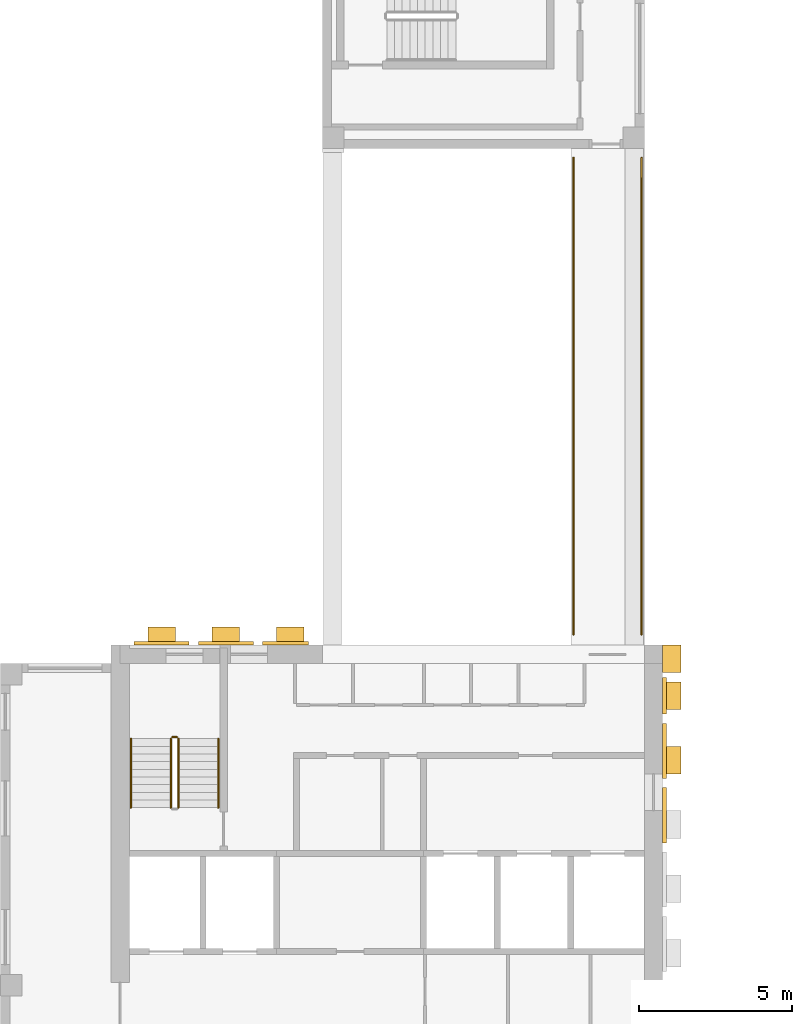
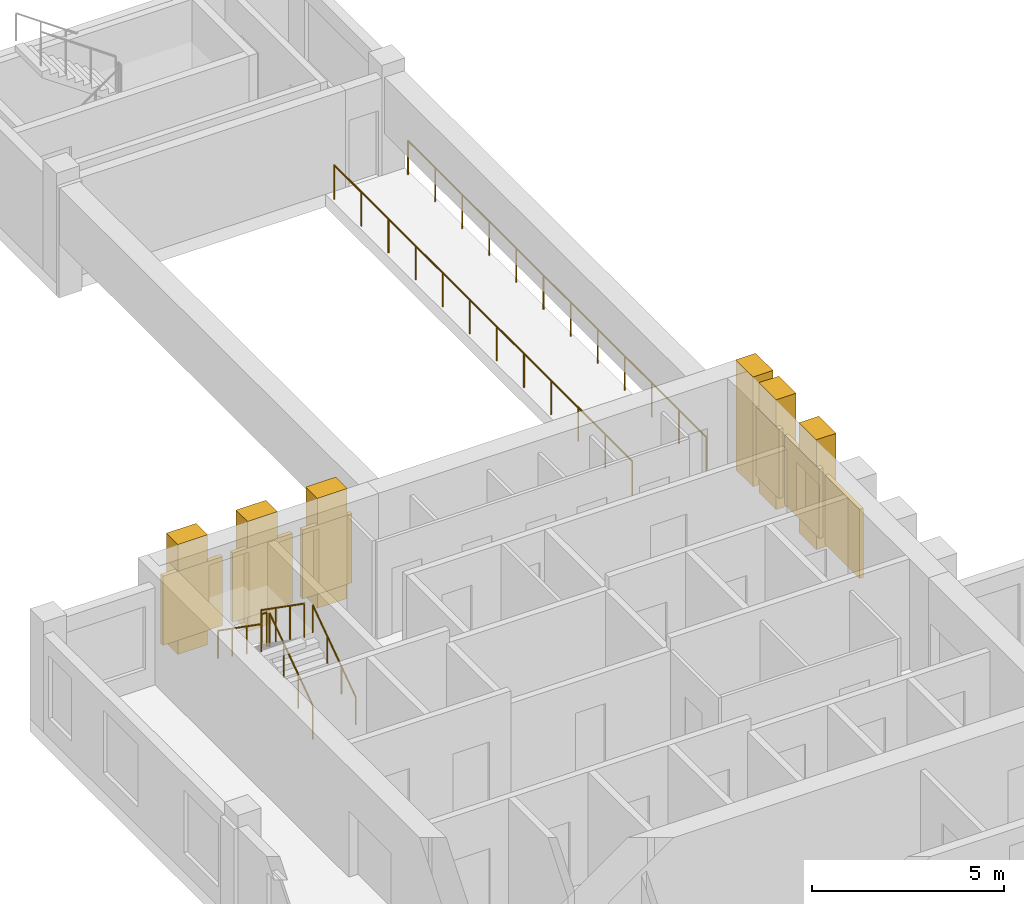
# One storey, part 7 of 9: 12 coverings, 7 railings.
"""IFC4 building model written with IfcOpenShell, lengths in metres."""

from ifc_helpers import new_model, si_unit, direction, frame, origin, origin_2d, place, context, subcontext, project, spatial, rectangle, circle, extrude, source, transform, mapped, material, type_object, element, save


model = new_model("IFC4")

# Units and contexts
model_context = context("Model", 3, precision=1e-05, world=origin(), true_north=direction((0.0, 1.0)))
body_context = subcontext(model_context, "Body", "Model", "MODEL_VIEW")
ifc_project = project(units=[si_unit("LENGTHUNIT", "METRE"), si_unit("AREAUNIT", "SQUARE_METRE"), si_unit("VOLUMEUNIT", "CUBIC_METRE"), si_unit("PLANEANGLEUNIT", "RADIAN"), si_unit("MASSUNIT", "GRAM", prefix="KILO")], contexts=[model_context])

# Site, building, storey
site_placement = place(None, origin())
site = spatial("IfcSite", under=ifc_project, at=site_placement, CompositionType="ELEMENT")
building_placement = place(site_placement, origin())
building = spatial("IfcBuilding", under=site, at=building_placement, Name="Aurelian Terraces", CompositionType="ELEMENT")
storey_placement = place(building_placement, frame((0.0, 0.0, 323.0)))
storey = spatial("IfcBuildingStorey", under=building, at=storey_placement, Name="L75", CompositionType="ELEMENT", Elevation=323.0)

# Coverings
ifc_material_1 = material(Name="Terracotta rainscreen cladding louvre blades", Category="masonry")
covering_type_1 = type_object("IfcCoveringType", Name="LOUVRE-TC", PredefinedType="CLADDING", material=ifc_material_1)
shared_shape_1 = source(origin(), body_context, "Body", "SweptSolid", [
    extrude(rectangle(XDim=0.12, YDim=1.8, at=origin_2d()), origin(), (0.0, 0.0, 1.0), 2.2),
])
for number, where, z_axis, x_axis, name in (
    (1, (21.66, 16.05, 0.45), (0.0, 0.0, 1.0), (1.0, 0.0, 0.0), "LOUVRE L75 core face E.3"),
    (2, (21.66, 18.15, 0.45), (0.0, 0.0, 1.0), (1.0, 0.0, 0.0), "LOUVRE L75 core face E.4"),
):
    element("IfcCovering", number, at=place(storey_placement, frame(where, z_axis=z_axis, x_axis=x_axis)), inside=storey, type_object=covering_type_1, Name=name, PredefinedType="CLADDING", context=body_context, shape_type="MappedRepresentation", body=[
        mapped(shared_shape_1, transform((0.0, 0.0, 0.0), scale=1.0)),
    ])
shared_shape_2 = source(origin(), body_context, "Body", "SweptSolid", [
    extrude(rectangle(XDim=1.8, YDim=0.12, at=origin_2d()), origin(), (0.0, 0.0, 1.0), 2.2),
])
for number, where, z_axis, x_axis, name in (
    (3, (5.25, 21.66, 0.45), (0.0, 0.0, 1.0), (1.0, 0.0, 0.0), "LOUVRE L75 core face N.1"),
    (4, (7.35, 21.66, 0.45), (0.0, 0.0, 1.0), (1.0, 0.0, 0.0), "LOUVRE L75 core face N.2"),
):
    element("IfcCovering", number, at=place(storey_placement, frame(where, z_axis=z_axis, x_axis=x_axis)), inside=storey, type_object=covering_type_1, Name=name, PredefinedType="CLADDING", context=body_context, shape_type="MappedRepresentation", body=[
        mapped(shared_shape_2, transform((0.0, 0.0, 0.0), scale=1.0)),
    ])
shared_shape_3 = source(origin(), body_context, "Body", "SweptSolid", [
    extrude(rectangle(XDim=0.12, YDim=1.2, at=origin_2d()), origin(), (0.0, 0.0, 1.0), 2.2),
])
covering_1_placement = place(storey_placement, frame((21.66, 19.95, 0.45), z_axis=(0.0, 0.0, 1.0), x_axis=(1.0, 0.0, 0.0)))
element("IfcCovering", 5, at=covering_1_placement, inside=storey, type_object=covering_type_1, Name="LOUVRE L75 core face E.5", PredefinedType="CLADDING", context=body_context, shape_type="MappedRepresentation", body=[
    mapped(shared_shape_3, transform((0.0, 0.0, 0.0), scale=1.0)),
])
shared_shape_4 = source(origin(), body_context, "Body", "SweptSolid", [
    extrude(rectangle(XDim=1.5, YDim=0.12, at=origin_2d()), origin(), (0.0, 0.0, 1.0), 2.2),
])
covering_2_placement = place(storey_placement, frame((9.3, 21.66, 0.45), z_axis=(0.0, 0.0, 1.0), x_axis=(1.0, 0.0, 0.0)))
element("IfcCovering", 6, at=covering_2_placement, inside=storey, type_object=covering_type_1, Name="LOUVRE L75 core face N.3", PredefinedType="CLADDING", context=body_context, shape_type="MappedRepresentation", body=[
    mapped(shared_shape_4, transform((0.0, 0.0, 0.0), scale=1.0)),
])

# Railings
ifc_material_2 = material(Name="Anodised aluminium", Category="aluminium")
railing_type_1 = type_object("IfcRailingType", Name="GUARD-1100", PredefinedType="GUARDRAIL", material=ifc_material_2)
shared_shape_5 = source(origin(), body_context, "Body", "SweptSolid", [
    extrude(circle(Radius=0.024, at=origin_2d()), frame((0.0, 0.0, 1.076), z_axis=(0.0, 1.0, 0.0), x_axis=(-1.0, 0.0, 0.0)), (0.0, 0.0, 1.0), 15.55),
    extrude(circle(Radius=0.021, at=origin_2d()), origin(), (0.0, 0.0, 1.0), 1.052),
    extrude(circle(Radius=0.021, at=origin_2d()), frame((0.0, 1.4136, 0.0)), (0.0, 0.0, 1.0), 1.052),
    extrude(circle(Radius=0.021, at=origin_2d()), frame((0.0, 2.8273, 0.0)), (0.0, 0.0, 1.0), 1.052),
    extrude(circle(Radius=0.021, at=origin_2d()), frame((0.0, 4.2409, 0.0)), (0.0, 0.0, 1.0), 1.052),
    extrude(circle(Radius=0.021, at=origin_2d()), frame((0.0, 5.6545, 0.0)), (0.0, 0.0, 1.0), 1.052),
    extrude(circle(Radius=0.021, at=origin_2d()), frame((0.0, 7.0682, 0.0)), (0.0, 0.0, 1.0), 1.052),
    extrude(circle(Radius=0.021, at=origin_2d()), frame((0.0, 8.4818, 0.0)), (0.0, 0.0, 1.0), 1.052),
    extrude(circle(Radius=0.021, at=origin_2d()), frame((0.0, 9.8955, 0.0)), (0.0, 0.0, 1.0), 1.052),
    extrude(circle(Radius=0.021, at=origin_2d()), frame((0.0, 11.3091, 0.0)), (0.0, 0.0, 1.0), 1.052),
    extrude(circle(Radius=0.021, at=origin_2d()), frame((0.0, 12.7227, 0.0)), (0.0, 0.0, 1.0), 1.052),
    extrude(circle(Radius=0.021, at=origin_2d()), frame((0.0, 14.1364, 0.0)), (0.0, 0.0, 1.0), 1.052),
    extrude(circle(Radius=0.021, at=origin_2d()), frame((0.0, 15.55, 0.0)), (0.0, 0.0, 1.0), 1.052),
])
railing_1_placement = place(storey_placement, frame((18.69, 21.95, 0.0)))
element("IfcRailing", 7, at=railing_1_placement, inside=storey, type_object=railing_type_1, Name="Terrace guard L75 BLADE-W-B75.1", PredefinedType="GUARDRAIL", context=body_context, shape_type="MappedRepresentation", body=[
    mapped(shared_shape_5, transform((0.0, 0.0, 0.0), scale=1.0)),
])
shared_shape_6 = source(origin(), body_context, "Body", "SweptSolid", [
    extrude(circle(Radius=0.024, at=origin_2d()), frame((0.0, 0.0, 1.076), z_axis=(0.0, -1.0, 0.0), x_axis=(1.0, 0.0, 0.0)), (0.0, 0.0, 1.0), 15.55),
    extrude(circle(Radius=0.021, at=origin_2d()), origin(), (0.0, 0.0, 1.0), 1.052),
    extrude(circle(Radius=0.021, at=origin_2d()), frame((0.0, -1.4136, 0.0)), (0.0, 0.0, 1.0), 1.052),
    extrude(circle(Radius=0.021, at=origin_2d()), frame((0.0, -2.8273, 0.0)), (0.0, 0.0, 1.0), 1.052),
    extrude(circle(Radius=0.021, at=origin_2d()), frame((0.0, -4.2409, 0.0)), (0.0, 0.0, 1.0), 1.052),
    extrude(circle(Radius=0.021, at=origin_2d()), frame((0.0, -5.6545, 0.0)), (0.0, 0.0, 1.0), 1.052),
    extrude(circle(Radius=0.021, at=origin_2d()), frame((0.0, -7.0682, 0.0)), (0.0, 0.0, 1.0), 1.052),
    extrude(circle(Radius=0.021, at=origin_2d()), frame((0.0, -8.4818, 0.0)), (0.0, 0.0, 1.0), 1.052),
    extrude(circle(Radius=0.021, at=origin_2d()), frame((0.0, -9.8955, 0.0)), (0.0, 0.0, 1.0), 1.052),
    extrude(circle(Radius=0.021, at=origin_2d()), frame((0.0, -11.3091, 0.0)), (0.0, 0.0, 1.0), 1.052),
    extrude(circle(Radius=0.021, at=origin_2d()), frame((0.0, -12.7227, 0.0)), (0.0, 0.0, 1.0), 1.052),
    extrude(circle(Radius=0.021, at=origin_2d()), frame((0.0, -14.1364, 0.0)), (0.0, 0.0, 1.0), 1.052),
    extrude(circle(Radius=0.021, at=origin_2d()), frame((0.0, -15.55, 0.0)), (0.0, 0.0, 1.0), 1.052),
])
railing_2_placement = place(storey_placement, frame((20.91, 37.5, 0.0)))
element("IfcRailing", 8, at=railing_2_placement, inside=storey, type_object=railing_type_1, Name="Terrace guard L75 BLADE-W-B75.2", PredefinedType="GUARDRAIL", context=body_context, shape_type="MappedRepresentation", body=[
    mapped(shared_shape_6, transform((0.0, 0.0, 0.0), scale=1.0)),
])
ifc_material_3 = material(Name="Stainless steel", Category="steel")
railing_type_2 = type_object("IfcRailingType", Name="Stair guard 1100", PredefinedType="GUARDRAIL", material=ifc_material_3)
shared_shape_7 = source(origin(), body_context, "Body", "SweptSolid", [
    extrude(circle(Radius=0.024, at=origin_2d()), frame((0.0, 0.0, 1.076), z_axis=(-1.0, 0.0, 0.0), x_axis=(0.0, -1.0, 0.0)), (0.0, 0.0, 1.0), 0.15),
    extrude(circle(Radius=0.021, at=origin_2d()), origin(), (0.0, 0.0, 1.0), 1.052),
    extrude(circle(Radius=0.021, at=origin_2d()), frame((-0.15, 0.0, 0.0)), (0.0, 0.0, 1.0), 1.052),
])
railing_3_placement = place(storey_placement, frame((5.75, 18.6, 1.75)))
element("IfcRailing", 9, at=railing_3_placement, inside=storey, type_object=railing_type_2, Name="L75 S1 stair guard 2", PredefinedType="GUARDRAIL", context=body_context, shape_type="MappedRepresentation", body=[
    mapped(shared_shape_7, transform((0.0, 0.0, 0.0), scale=1.0)),
])
shared_shape_8 = source(origin(), body_context, "Body", "SweptSolid", [
    extrude(circle(Radius=0.024, at=origin_2d()), frame((0.0, 0.0, 1.076), z_axis=(0.0, 0.819231920519, 0.573462344363), x_axis=(-1.0, 0.0, 0.0)), (0.0, 0.0, 1.0), 2.7465),
    extrude(circle(Radius=0.021, at=origin_2d()), origin(), (0.0, 0.0, 1.0), 1.052),
    extrude(circle(Radius=0.021, at=origin_2d()), frame((0.0, 0.75, 0.525)), (0.0, 0.0, 1.0), 1.052),
    extrude(circle(Radius=0.021, at=origin_2d()), frame((0.0, 1.5, 1.05)), (0.0, 0.0, 1.0), 1.052),
    extrude(circle(Radius=0.021, at=origin_2d()), frame((0.0, 2.25, 1.575)), (0.0, 0.0, 1.0), 1.052),
])
railing_4_placement = place(storey_placement, frame((5.8, 16.3, 0.175)))
element("IfcRailing", 10, at=railing_4_placement, inside=storey, type_object=railing_type_2, Name="L75 S1 stair guard 1", PredefinedType="GUARDRAIL", context=body_context, shape_type="MappedRepresentation", body=[
    mapped(shared_shape_8, transform((0.0, 0.0, 0.0), scale=1.0)),
])
shared_shape_9 = source(origin(), body_context, "Body", "SweptSolid", [
    extrude(circle(Radius=0.024, at=origin_2d()), frame((0.0, 0.0, 1.076), z_axis=(0.0, -0.819231920519, 0.573462344363), x_axis=(1.0, 0.0, 0.0)), (0.0, 0.0, 1.0), 2.7465),
    extrude(circle(Radius=0.021, at=origin_2d()), origin(), (0.0, 0.0, 1.0), 1.052),
    extrude(circle(Radius=0.021, at=origin_2d()), frame((0.0, -0.75, 0.525)), (0.0, 0.0, 1.0), 1.052),
    extrude(circle(Radius=0.021, at=origin_2d()), frame((0.0, -1.5, 1.05)), (0.0, 0.0, 1.0), 1.052),
    extrude(circle(Radius=0.021, at=origin_2d()), frame((0.0, -2.25, 1.575)), (0.0, 0.0, 1.0), 1.052),
])
railing_5_placement = place(storey_placement, frame((5.55, 18.55, 1.925)))
element("IfcRailing", 11, at=railing_5_placement, inside=storey, type_object=railing_type_2, Name="L75 S1 stair guard 3", PredefinedType="GUARDRAIL", context=body_context, shape_type="MappedRepresentation", body=[
    mapped(shared_shape_9, transform((0.0, 0.0, 0.0), scale=1.0)),
])
railing_type_3 = type_object("IfcRailingType", Name="Stair handrail", PredefinedType="HANDRAIL", material=ifc_material_3)
shared_shape_10 = source(origin(), body_context, "Body", "SweptSolid", [
    extrude(circle(Radius=0.024, at=origin_2d()), frame((0.0, 0.0, 0.876), z_axis=(0.0, 0.819231920519, 0.573462344363), x_axis=(-1.0, 0.0, 0.0)), (0.0, 0.0, 1.0), 2.7465),
    extrude(circle(Radius=0.021, at=origin_2d()), origin(), (0.0, 0.0, 1.0), 0.852),
    extrude(circle(Radius=0.021, at=origin_2d()), frame((0.0, 0.75, 0.525)), (0.0, 0.0, 1.0), 0.852),
    extrude(circle(Radius=0.021, at=origin_2d()), frame((0.0, 1.5, 1.05)), (0.0, 0.0, 1.0), 0.852),
    extrude(circle(Radius=0.021, at=origin_2d()), frame((0.0, 2.25, 1.575)), (0.0, 0.0, 1.0), 0.852),
])
railing_6_placement = place(storey_placement, frame((7.1, 16.3, 0.175)))
element("IfcRailing", 12, at=railing_6_placement, inside=storey, type_object=railing_type_3, Name="L75 S1 stair handrail 1", PredefinedType="HANDRAIL", context=body_context, shape_type="MappedRepresentation", body=[
    mapped(shared_shape_10, transform((0.0, 0.0, 0.0), scale=1.0)),
])
shared_shape_11 = source(origin(), body_context, "Body", "SweptSolid", [
    extrude(circle(Radius=0.024, at=origin_2d()), frame((0.0, 0.0, 0.876), z_axis=(0.0, -0.819231920519, 0.573462344363), x_axis=(1.0, 0.0, 0.0)), (0.0, 0.0, 1.0), 2.7465),
    extrude(circle(Radius=0.021, at=origin_2d()), origin(), (0.0, 0.0, 1.0), 0.852),
    extrude(circle(Radius=0.021, at=origin_2d()), frame((0.0, -0.75, 0.525)), (0.0, 0.0, 1.0), 0.852),
    extrude(circle(Radius=0.021, at=origin_2d()), frame((0.0, -1.5, 1.05)), (0.0, 0.0, 1.0), 0.852),
    extrude(circle(Radius=0.021, at=origin_2d()), frame((0.0, -2.25, 1.575)), (0.0, 0.0, 1.0), 0.852),
])
railing_7_placement = place(storey_placement, frame((4.25, 18.55, 1.925)))
element("IfcRailing", 13, at=railing_7_placement, inside=storey, type_object=railing_type_3, Name="L75 S1 stair handrail 2", PredefinedType="HANDRAIL", context=body_context, shape_type="MappedRepresentation", body=[
    mapped(shared_shape_11, transform((0.0, 0.0, 0.0), scale=1.0)),
])

# Coverings
ifc_material_4 = material(Name="Terracotta rainscreen cladding relief", Category="masonry")
covering_type_2 = type_object("IfcCoveringType", Name="Core spine pier 900x600", PredefinedType="CLADDING", material=ifc_material_4)
shared_shape_12 = source(origin(), body_context, "Body", "SweptSolid", [
    extrude(rectangle(XDim=0.6, YDim=0.9, at=origin_2d()), origin(), (0.0, 0.0, 1.0), 3.5),
])
for number, where, z_axis, x_axis, name in (
    (14, (21.9, 17.85, 0.0), (0.0, 0.0, 1.0), (1.0, 0.0, 0.0), "Spine pier L75 E4"),
    (15, (21.9, 19.95, 0.0), (0.0, 0.0, 1.0), (1.0, 0.0, 0.0), "Spine pier L75 E5"),
    (16, (21.9, 21.15, 0.0), (0.0, 0.0, 1.0), (1.0, 0.0, 0.0), "Spine pier L75 corner east"),
):
    element("IfcCovering", number, at=place(storey_placement, frame(where, z_axis=z_axis, x_axis=x_axis)), inside=storey, type_object=covering_type_2, Name=name, PredefinedType="CLADDING", context=body_context, shape_type="MappedRepresentation", body=[
        mapped(shared_shape_12, transform((0.0, 0.0, 0.0), scale=1.0)),
    ])
shared_shape_13 = source(origin(), body_context, "Body", "SweptSolid", [
    extrude(rectangle(XDim=0.9, YDim=0.6, at=origin_2d()), origin(), (0.0, 0.0, 1.0), 3.5),
])
for number, where, z_axis, x_axis, name in (
    (17, (5.25, 21.9, 0.0), (0.0, 0.0, 1.0), (1.0, 0.0, 0.0), "Spine pier L75 N6"),
    (18, (7.35, 21.9, 0.0), (0.0, 0.0, 1.0), (1.0, 0.0, 0.0), "Spine pier L75 N7"),
    (19, (9.45, 21.9, 0.0), (0.0, 0.0, 1.0), (1.0, 0.0, 0.0), "Spine pier L75 N8"),
):
    element("IfcCovering", number, at=place(storey_placement, frame(where, z_axis=z_axis, x_axis=x_axis)), inside=storey, type_object=covering_type_2, Name=name, PredefinedType="CLADDING", context=body_context, shape_type="MappedRepresentation", body=[
        mapped(shared_shape_13, transform((0.0, 0.0, 0.0), scale=1.0)),
    ])

save(model, "model.ifc")
